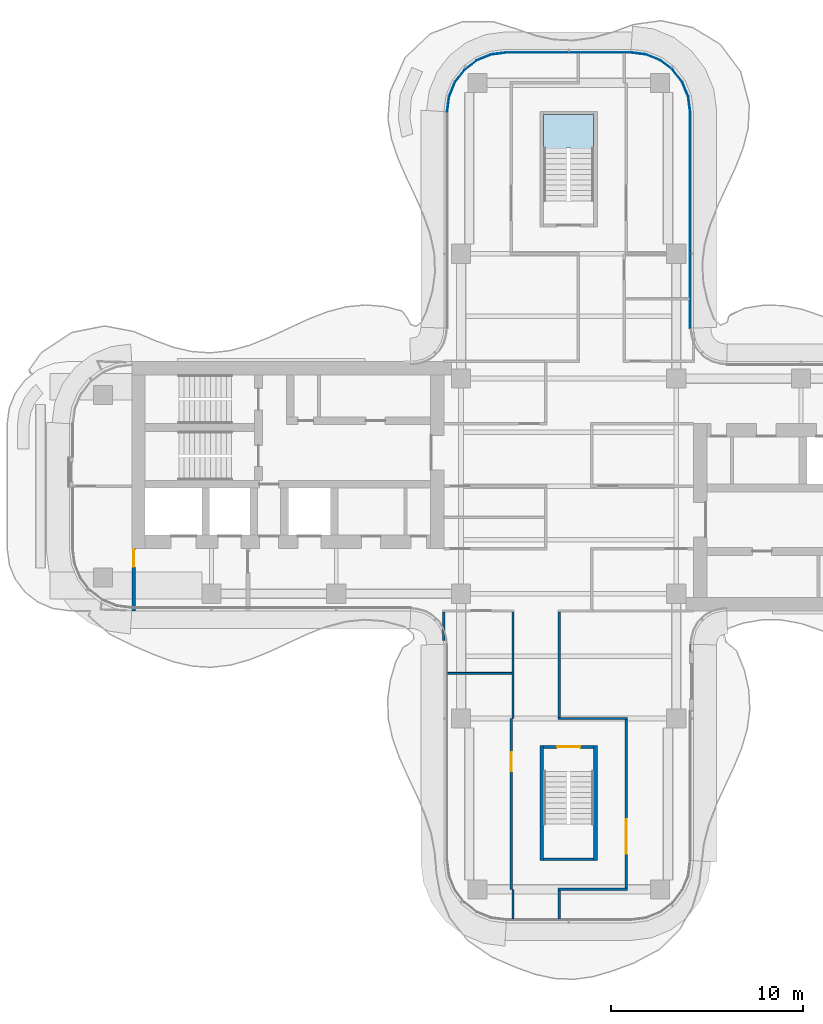
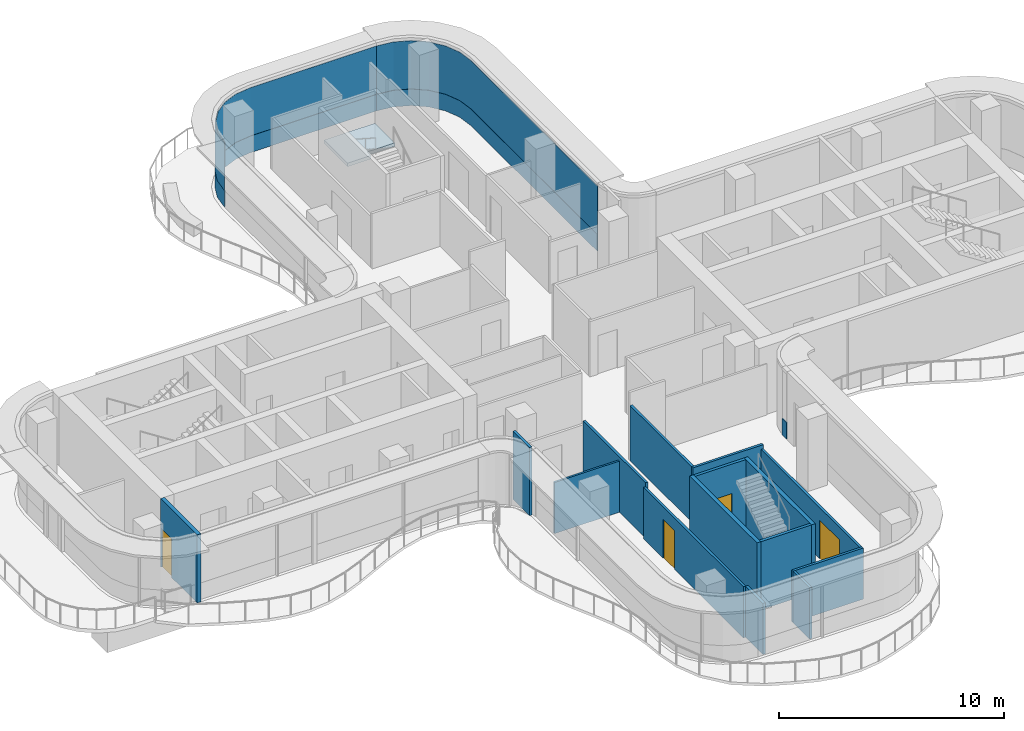
# One storey, part 11 of 17: 15 walls, 5 plates, 4 doors, 1 slab, 4 openings, 4 elements without a shape of their own.
"""IFC4 building model written with IfcOpenShell, lengths in metres."""

from ifc_helpers import new_model, si_unit, direction, frame, frame_2d, origin, place, context, subcontext, project, spatial, polyline, rectangle, outline, extrude, source, transform, mapped, material, layer, layer_set, type_object, element, fill, aggregate, save


model = new_model("IFC4")

# Units and contexts
model_context = context("Model", 3, precision=1e-05, world=origin(), true_north=direction((0.0, 1.0)))
body_context = subcontext(model_context, "Body", "Model", "MODEL_VIEW")
ifc_project = project(units=[si_unit("LENGTHUNIT", "METRE"), si_unit("AREAUNIT", "SQUARE_METRE"), si_unit("VOLUMEUNIT", "CUBIC_METRE"), si_unit("PLANEANGLEUNIT", "RADIAN"), si_unit("MASSUNIT", "GRAM", prefix="KILO")], contexts=[model_context])

# Site, building, storey
site_placement = place(None, origin())
site = spatial("IfcSite", under=ifc_project, at=site_placement, CompositionType="ELEMENT")
building_placement = place(site_placement, origin())
building = spatial("IfcBuilding", under=site, at=building_placement, Name="Trellis Farm Tower", CompositionType="ELEMENT")
storey_placement = place(building_placement, frame((0.0, 0.0, 279.39990234375)))
storey = spatial("IfcBuildingStorey", under=building, at=storey_placement, Name="L62", CompositionType="ELEMENT", Elevation=279.39990234375)

# Curtain wall, plate
ifc_material_1 = material(Name="Aluminium and glass curtain wall", Category="aluminium")
ifc_layer_1 = layer(ifc_material_1, 0.18994140625)
ifc_layer_set_1 = layer_set([ifc_layer_1], Name="RIBBON CURTAIN WALL CW1")
curtain_wall_type = type_object("IfcCurtainWallType", Name="RIBBON CURTAIN WALL CW1", PredefinedType="NOTDEFINED", material=ifc_layer_set_1)
placement_1 = place(storey_placement, origin())
curtain_wall_1 = element("IfcCurtainWall", 1, at=placement_1, inside=storey, type_object=curtain_wall_type, Name="CW1 005", PredefinedType="NOTDEFINED")
ifc_material_2 = material(Name="Sandstone faced insulated panel", Category="masonry")
ifc_layer_2 = layer(ifc_material_2, 0.050048828125)
ifc_layer_set_2 = layer_set([ifc_layer_2], Name="CW1 STONE SPANDREL PANEL 50")
plate_type_1 = type_object("IfcPlateType", Name="CW1 STONE SPANDREL PANEL 50", PredefinedType="CURTAIN_PANEL", material=ifc_layer_set_2)
plate_1 = element("IfcPlate", 2, at=placement_1, type_object=plate_type_1, Name="PS1 005", PredefinedType="CURTAIN_PANEL", context=body_context, shape_type="SweptSolid", body=[
    extrude(outline(polyline([(6.35009765625, -8.605712890625), (6.35009765625, -8.2265625), (6.300048828125, -8.224853515625), (6.300048828125, -8.605712890625), (6.35009765625, -8.605712890625)])), origin(), (0.0, 0.0, 1.0), 0.900146484375),
])
aggregate(curtain_wall_1, [plate_1])

# Stair, slab
ifc_material_3 = material(Name="Concrete C50/60", Category="concrete")
stair_type = type_object("IfcStairType", Name="CORE EXIT STAIR 22 RISERS 177 MM", PredefinedType="HALF_TURN_STAIR", material=ifc_material_3)
stair = element("IfcStair", 3, at=placement_1, inside=storey, type_object=stair_type, Name="Exit stair N", PredefinedType="HALF_TURN_STAIR")
ifc_layer_3 = layer(ifc_material_3, 0.18994140625)
ifc_layer_set_3 = layer_set([ifc_layer_3], Name="CORE STAIR LANDING 190 CONCRETE C50/60")
slab_type = type_object("IfcSlabType", Name="CORE STAIR LANDING 190 CONCRETE C50/60", PredefinedType="LANDING", material=ifc_layer_set_3)
shared_shape_1 = source(origin(), body_context, "Body", "SweptSolid", [
    extrude(outline(polyline([(-0.10009765625, 17.27197265625), (-1.300048828125, 17.27197265625), (-1.300048828125, 17.60009765625), (-1.300048828125, 19.35009765625), (1.300048828125, 19.35009765625), (1.300048828125, 17.60009765625), (1.300048828125, 17.590087890625), (0.10009765625, 17.590087890625), (0.10009765625, 17.60009765625), (-0.10009765625, 17.60009765625), (-0.10009765625, 17.27197265625)])), origin(), (0.0, 0.0, 1.0), 0.190185546875),
])
slab_placement = place(storey_placement, frame((0.0, 0.0, 1.760009765625)))
slab = element("IfcSlab", 4, at=slab_placement, type_object=slab_type, Name="STN landing 1", PredefinedType="LANDING", context=body_context, shape_type="MappedRepresentation", body=[
    mapped(shared_shape_1, transform((0.0, 0.0, 0.0))),
])
aggregate(stair, [slab])

# Curtain wall, plates
curtain_wall_2 = element("IfcCurtainWall", 5, at=placement_1, inside=storey, type_object=curtain_wall_type, Name="CW1 009", PredefinedType="NOTDEFINED")
ifc_material_4 = material(Name="Clear insulated glass", Category="glass")
ifc_layer_4 = layer(ifc_material_4, 0.0400390625)
ifc_layer_set_4 = layer_set([ifc_layer_4], Name="CW1 GLASS PANEL 40")
plate_type_2 = type_object("IfcPlateType", Name="CW1 GLASS PANEL 40", PredefinedType="CURTAIN_PANEL", material=ifc_layer_set_4)
shared_shape_2 = source(origin(), body_context, "Body", "SweptSolid", [
    extrude(outline(polyline([(6.35009765625, 8.2265625), (6.35009765625, 19.490234375), (6.2431640625, 20.302001953125), (5.93359375, 21.04931640625), (5.441162109375, 21.691162109375), (4.79931640625, 22.18359375), (4.052001953125, 22.4931640625), (3.240234375, 22.60009765625), (3.237548828125, 22.56005859375), (4.04150390625, 22.4541015625), (4.779296875, 22.148681640625), (5.41259765625, 21.66259765625), (5.898681640625, 21.029296875), (6.2041015625, 20.29150390625), (6.31005859375, 19.487548828125), (6.31005859375, 8.22509765625), (6.35009765625, 8.2265625)])), origin(), (0.0, 0.0, 1.0), 2.619873046875),
])
placement_2 = place(storey_placement, frame((0.0, 0.0, 0.900146484375)))
plate_2 = element("IfcPlate", 6, at=placement_2, type_object=plate_type_2, Name="PL1 009", PredefinedType="CURTAIN_PANEL", context=body_context, shape_type="MappedRepresentation", body=[
    mapped(shared_shape_2, transform((0.0, 0.0, 0.0))),
])
shared_shape_3 = source(origin(), body_context, "Body", "SweptSolid", [
    extrude(outline(polyline([(6.35009765625, 8.2265625), (6.35009765625, 19.490234375), (6.2431640625, 20.302001953125), (5.93359375, 21.04931640625), (5.441162109375, 21.691162109375), (4.79931640625, 22.18359375), (4.052001953125, 22.4931640625), (3.240234375, 22.60009765625), (3.23681640625, 22.550048828125), (4.0390625, 22.4443359375), (4.774169921875, 22.139892578125), (5.405517578125, 21.655517578125), (5.889892578125, 21.024169921875), (6.1943359375, 20.2890625), (6.300048828125, 19.48681640625), (6.300048828125, 8.224853515625), (6.35009765625, 8.2265625)])), origin(), (0.0, 0.0, 1.0), 0.900146484375),
])
plate_3 = element("IfcPlate", 7, at=placement_1, type_object=plate_type_1, Name="PS1 009", PredefinedType="CURTAIN_PANEL", context=body_context, shape_type="MappedRepresentation", body=[
    mapped(shared_shape_3, transform((0.0, 0.0, 0.0))),
])
aggregate(curtain_wall_2, [plate_2, plate_3])

curtain_wall_3 = element("IfcCurtainWall", 8, at=placement_1, inside=storey, type_object=curtain_wall_type, Name="CW1 010", PredefinedType="NOTDEFINED")
shared_shape_4 = source(origin(), body_context, "Body", "SweptSolid", [
    extrude(outline(polyline([(3.240234375, 22.60009765625), (-3.240234375, 22.60009765625), (-4.052001953125, 22.4931640625), (-4.79931640625, 22.18359375), (-5.441162109375, 21.691162109375), (-5.93359375, 21.04931640625), (-6.2431640625, 20.302001953125), (-6.35009765625, 19.490234375), (-6.31005859375, 19.487548828125), (-6.2041015625, 20.29150390625), (-5.898681640625, 21.029296875), (-5.41259765625, 21.66259765625), (-4.779296875, 22.148681640625), (-4.04150390625, 22.4541015625), (-3.237548828125, 22.56005859375), (3.237548828125, 22.56005859375), (3.240234375, 22.60009765625)])), origin(), (0.0, 0.0, 1.0), 2.619873046875),
])
plate_4 = element("IfcPlate", 9, at=placement_2, type_object=plate_type_2, Name="PL1 010", PredefinedType="CURTAIN_PANEL", context=body_context, shape_type="MappedRepresentation", body=[
    mapped(shared_shape_4, transform((0.0, 0.0, 0.0))),
])
shared_shape_5 = source(origin(), body_context, "Body", "SweptSolid", [
    extrude(outline(polyline([(3.240234375, 22.60009765625), (-3.240234375, 22.60009765625), (-4.052001953125, 22.4931640625), (-4.79931640625, 22.18359375), (-5.441162109375, 21.691162109375), (-5.93359375, 21.04931640625), (-6.2431640625, 20.302001953125), (-6.35009765625, 19.490234375), (-6.300048828125, 19.48681640625), (-6.1943359375, 20.2890625), (-5.889892578125, 21.024169921875), (-5.405517578125, 21.655517578125), (-4.774169921875, 22.139892578125), (-4.0390625, 22.4443359375), (-3.23681640625, 22.550048828125), (3.23681640625, 22.550048828125), (3.240234375, 22.60009765625)])), origin(), (0.0, 0.0, 1.0), 0.900146484375),
])
plate_5 = element("IfcPlate", 10, at=placement_1, type_object=plate_type_1, Name="PS1 010", PredefinedType="CURTAIN_PANEL", context=body_context, shape_type="MappedRepresentation", body=[
    mapped(shared_shape_5, transform((0.0, 0.0, 0.0))),
])
aggregate(curtain_wall_3, [plate_4, plate_5])

# Wall, opening, door
ifc_material_5 = material(Name="Masonry blockwork", Category="masonry")
ifc_layer_5 = layer(ifc_material_5, 0.199951171875)
ifc_layer_set_5 = layer_set([ifc_layer_5], Name="FIRE LOBBY PARTITION 200 BLOCKWORK")
wall_type_1 = type_object("IfcWallType", Name="FIRE LOBBY PARTITION 200 BLOCKWORK", PredefinedType="PARTITIONING", material=ifc_layer_set_5)
shared_shape_6 = source(origin(), body_context, "Body", "SweptSolid", [
    extrude(rectangle(XDim=3.25, YDim=0.199951171875, at=frame_2d((1.625, 0.0))), origin(), (0.0, 0.0, 1.0), 3.7001953125),
])
wall_1_placement = place(storey_placement, frame((-22.64990234375, -3.25, 0.0), z_axis=(0.0, 0.0, 1.0), x_axis=(0.0, -1.0, 0.0)))
wall_1 = element("IfcWall", 11, at=wall_1_placement, inside=storey, type_object=wall_type_1, Name="Fire-fighting lobby partition", PredefinedType="PARTITIONING", context=body_context, shape_type="MappedRepresentation", body=[
    mapped(shared_shape_6, transform((0.0, 0.0, 0.0))),
])
shared_shape_7 = source(origin(), body_context, "Body", "SweptSolid", [
    extrude(rectangle(XDim=0.89990234375, YDim=2.10009765625, at=frame_2d((0.449951171875, 1.050048828125))), frame((0.0, 0.110107421875, 0.0), z_axis=(0.0, -1.0, 0.0), x_axis=(1.0, 0.0, 0.0)), (0.0, 0.0, 1.0), 0.22021484375),
])
opening_1_placement = place(wall_1_placement, frame((0.050048828125, 0.0, 0.0)))
opening_1 = element("IfcOpeningElement", 12, at=opening_1_placement, cuts=wall_1, Name="Opening DC94", PredefinedType="OPENING", context=body_context, shape_type="MappedRepresentation", body=[
    mapped(shared_shape_7, transform((0.0, 0.0, 0.0))),
])
ifc_material_6 = material(Name="Steel", Category="steel")
door_type_1 = type_object("IfcDoorType", Name="CORE FIRE DOOR 900 X 2100", OperationType="NOTDEFINED", PredefinedType="DOOR", material=ifc_material_6)
shared_shape_8 = source(origin(), body_context, "Body", "SweptSolid", [
    extrude(rectangle(XDim=0.89990234375, YDim=2.10009765625, at=frame_2d((0.449951171875, 1.050048828125))), frame((0.0, 0.02490234375, 0.0), z_axis=(0.0, -1.0, 0.0), x_axis=(1.0, 0.0, 0.0)), (0.0, 0.0, 1.0), 0.050048828125),
])
door_1_placement = place(opening_1_placement, origin())
door_1 = element("IfcDoor", 13, at=door_1_placement, inside=storey, type_object=door_type_1, Name="Core door", OperationType="SINGLE_SWING_RIGHT", OverallHeight=2.10009765625, OverallWidth=0.89990234375, PredefinedType="DOOR", context=body_context, shape_type="MappedRepresentation", body=[
    mapped(shared_shape_8, transform((0.0, 0.0, 0.0))),
])
fill(opening_1, door_1)

# Walls
ifc_layer_6 = layer(ifc_material_3, 0.199951171875)
ifc_layer_set_6 = layer_set([ifc_layer_6], Name="CORE STAIR ENCLOSURE WALL 200 CONCRETE C50/60")
wall_type_2 = type_object("IfcWallType", Name="CORE STAIR ENCLOSURE WALL 200 CONCRETE C50/60", PredefinedType="SHEAR", material=ifc_layer_set_6)
shared_shape_9 = source(origin(), body_context, "Body", "SweptSolid", [
    extrude(rectangle(XDim=6.0, YDim=0.199951171875, at=frame_2d((3.0, 0.0))), origin(), (0.0, 0.0, 1.0), 3.7001953125),
])
for number, where, z_axis, x_axis, name in (
    (14, (1.39990234375, -13.5, 0.0), (0.0, 0.0, 1.0), (0.0, -1.0, 0.0), "Stair enclosure wall"),
    (15, (-1.39990234375, -13.5, 0.0), (0.0, 0.0, 1.0), (0.0, -1.0, 0.0), "Stair enclosure wall"),
):
    element("IfcWall", number, at=place(storey_placement, frame(where, z_axis=z_axis, x_axis=x_axis)), inside=storey, type_object=wall_type_2, Name=name, PredefinedType="SHEAR", context=body_context, shape_type="MappedRepresentation", body=[
        mapped(shared_shape_9, transform((0.0, 0.0, 0.0))),
    ])

# Wall, opening, door
ifc_layer_7 = layer(ifc_material_3, 0.14990234375)
ifc_layer_set_7 = layer_set([ifc_layer_7], Name="CORE STAIR ENCLOSURE WALL 150 CONCRETE C50/60")
wall_type_3 = type_object("IfcWallType", Name="CORE STAIR ENCLOSURE WALL 150 CONCRETE C50/60", PredefinedType="SHEAR", material=ifc_layer_set_7)
shared_shape_10 = source(origin(), body_context, "Body", "SweptSolid", [
    extrude(rectangle(XDim=2.60009765625, YDim=0.14990234375, at=frame_2d((1.300048828125, 0.0))), origin(), (0.0, 0.0, 1.0), 3.7001953125),
])
wall_2_placement = place(storey_placement, frame((1.300048828125, -13.574951171875, 0.0), z_axis=(0.0, 0.0, 1.0), x_axis=(-1.0, 0.0, 0.0)))
wall_2 = element("IfcWall", 16, at=wall_2_placement, inside=storey, type_object=wall_type_3, Name="Stair enclosure wall", PredefinedType="SHEAR", context=body_context, shape_type="MappedRepresentation", body=[
    mapped(shared_shape_10, transform((0.0, 0.0, 0.0))),
])
shared_shape_11 = source(origin(), body_context, "Body", "SweptSolid", [
    extrude(rectangle(XDim=1.199951171875, YDim=2.10009765625, at=frame_2d((0.60009765625, 1.050048828125))), frame((0.0, 0.0849609375, 0.0), z_axis=(0.0, -1.0, 0.0), x_axis=(1.0, 0.0, 0.0)), (0.0, 0.0, 1.0), 0.169921875),
])
opening_2_placement = place(wall_2_placement, frame((0.699951171875, 0.0, 0.0)))
opening_2 = element("IfcOpeningElement", 17, at=opening_2_placement, cuts=wall_2, Name="Opening DC174", PredefinedType="OPENING", context=body_context, shape_type="MappedRepresentation", body=[
    mapped(shared_shape_11, transform((0.0, 0.0, 0.0))),
])
door_type_2 = type_object("IfcDoorType", Name="CORE FIRE DOOR 1200 X 2100", OperationType="NOTDEFINED", PredefinedType="DOOR", material=ifc_material_6)
shared_shape_12 = source(origin(), body_context, "Body", "SweptSolid", [
    extrude(rectangle(XDim=1.199951171875, YDim=2.10009765625, at=frame_2d((0.60009765625, 1.050048828125))), frame((0.0, 0.02490234375, 0.0), z_axis=(0.0, -1.0, 0.0), x_axis=(1.0, 0.0, 0.0)), (0.0, 0.0, 1.0), 0.050048828125),
])
door_2_placement = place(opening_2_placement, origin())
door_2 = element("IfcDoor", 18, at=door_2_placement, inside=storey, type_object=door_type_2, Name="Core door", OperationType="SINGLE_SWING_RIGHT", OverallHeight=2.10009765625, OverallWidth=1.199951171875, PredefinedType="DOOR", context=body_context, shape_type="MappedRepresentation", body=[
    mapped(shared_shape_12, transform((0.0, 0.0, 0.0))),
])
fill(opening_2, door_2)

# Walls
wall_3_placement = place(storey_placement, frame((1.300048828125, -19.425048828125, 0.0), z_axis=(0.0, 0.0, 1.0), x_axis=(-1.0, 0.0, 0.0)))
element("IfcWall", 19, at=wall_3_placement, inside=storey, type_object=wall_type_3, Name="Stair enclosure wall", PredefinedType="SHEAR", context=body_context, shape_type="MappedRepresentation", body=[
    mapped(shared_shape_10, transform((0.0, 0.0, 0.0))),
])
ifc_material_7 = material(Name="Plasterboard on steel studs, mineral wool", Category="steel")
ifc_layer_8 = layer(ifc_material_7, 0.125)
ifc_layer_set_8 = layer_set([ifc_layer_8], Name="PARTITION 125 STUD EI 60")
wall_type_4 = type_object("IfcWallType", Name="PARTITION 125 STUD EI 60", PredefinedType="PARTITIONING", material=ifc_layer_set_8)
shared_shape_13 = source(origin(), body_context, "Body", "SweptSolid", [
    extrude(rectangle(XDim=5.47509765625, YDim=0.125, at=frame_2d((2.737548828125, 0.0))), origin(), (0.0, 0.0, 1.0), 2.99658203125),
])
wall_4_placement = place(storey_placement, frame((-0.5, -6.5625, 0.0), z_axis=(0.0, 0.0, 1.0), x_axis=(0.0, -1.0, 0.0)))
element("IfcWall", 20, at=wall_4_placement, inside=storey, type_object=wall_type_4, Name="Partition PW1", PredefinedType="PARTITIONING", context=body_context, shape_type="MappedRepresentation", body=[
    mapped(shared_shape_13, transform((0.0, 0.0, 0.0))),
])
shared_shape_14 = source(origin(), body_context, "Body", "SweptSolid", [
    extrude(rectangle(XDim=5.53759765625, YDim=0.125, at=frame_2d((2.768798828125, 0.0))), origin(), (0.0, 0.0, 1.0), 2.99658203125),
])
wall_5_placement = place(storey_placement, frame((-2.89990234375, -12.10009765625, 0.0), z_axis=(0.0, 0.0, 1.0), x_axis=(0.0, 1.0, 0.0)))
element("IfcWall", 21, at=wall_5_placement, inside=storey, type_object=wall_type_4, Name="Partition PW1", PredefinedType="PARTITIONING", context=body_context, shape_type="MappedRepresentation", body=[
    mapped(shared_shape_14, transform((0.0, 0.0, 0.0))),
])
shared_shape_15 = source(origin(), body_context, "Body", "SweptSolid", [
    extrude(rectangle(XDim=3.625, YDim=0.125, at=frame_2d((1.8125, 0.0))), origin(), (0.0, 0.0, 1.0), 2.99658203125),
])
wall_6_placement = place(storey_placement, frame((-0.5625, -12.10009765625, 0.0), z_axis=(0.0, 0.0, 1.0), x_axis=(1.0, 0.0, 0.0)))
element("IfcWall", 22, at=wall_6_placement, inside=storey, type_object=wall_type_4, Name="Partition PW1", PredefinedType="PARTITIONING", context=body_context, shape_type="MappedRepresentation", body=[
    mapped(shared_shape_15, transform((0.0, 0.0, 0.0))),
])
shared_shape_16 = source(origin(), body_context, "Body", "SweptSolid", [
    extrude(rectangle(XDim=1.468994140625, YDim=0.125, at=frame_2d((0.734375, 0.0))), origin(), (0.0, 0.0, 1.0), 3.7001953125),
])
wall_7_placement = place(storey_placement, frame((-6.5, -6.5625, 0.0), z_axis=(0.0, 0.0, 1.0), x_axis=(0.0, -1.0, 0.0)))
element("IfcWall", 23, at=wall_7_placement, inside=storey, type_object=wall_type_4, Name="Partition PW1", PredefinedType="PARTITIONING", context=body_context, shape_type="MappedRepresentation", body=[
    mapped(shared_shape_16, transform((0.0, 0.0, 0.0))),
])

# Wall, opening, door
shared_shape_17 = source(origin(), body_context, "Body", "SweptSolid", [
    extrude(rectangle(XDim=8.77490234375, YDim=0.125, at=frame_2d((4.387451171875, 0.0))), origin(), (0.0, 0.0, 1.0), 2.780029296875),
])
wall_8_placement = place(storey_placement, frame((3.0, -12.16259765625, 0.0), z_axis=(0.0, 0.0, 1.0), x_axis=(0.0, -1.0, 0.0)))
wall_8 = element("IfcWall", 24, at=wall_8_placement, inside=storey, type_object=wall_type_4, Name="Partition PW1", PredefinedType="PARTITIONING", context=body_context, shape_type="MappedRepresentation", body=[
    mapped(shared_shape_17, transform((0.0, 0.0, 0.0))),
])
shared_shape_18 = source(origin(), body_context, "Body", "SweptSolid", [
    extrude(rectangle(XDim=1.800048828125, YDim=2.10009765625, at=frame_2d((0.89990234375, 1.050048828125))), frame((0.0, 0.072509765625, 0.0), z_axis=(0.0, -1.0, 0.0), x_axis=(1.0, 0.0, 0.0)), (0.0, 0.0, 1.0), 0.14501953125),
])
opening_3_placement = place(wall_8_placement, frame((5.1875, 0.0, 0.0)))
opening_3 = element("IfcOpeningElement", 25, at=opening_3_placement, cuts=wall_8, Name="Opening D201", PredefinedType="OPENING", context=body_context, shape_type="MappedRepresentation", body=[
    mapped(shared_shape_18, transform((0.0, 0.0, 0.0))),
])
ifc_material_8 = material(Name="Fire-rated timber door leaf in a hollow metal frame", Category="wood")
door_type_3 = type_object("IfcDoorType", Name="DOOR PAIR 1800x2100 FD30S", OperationType="NOTDEFINED", PredefinedType="DOOR", material=ifc_material_8)
shared_shape_19 = source(origin(), body_context, "Body", "SweptSolid", [
    extrude(rectangle(XDim=1.800048828125, YDim=2.10009765625, at=frame_2d((0.89990234375, 1.050048828125))), frame((0.0, 0.02490234375, 0.0), z_axis=(0.0, -1.0, 0.0), x_axis=(1.0, 0.0, 0.0)), (0.0, 0.0, 1.0), 0.050048828125),
])
door_3_placement = place(opening_3_placement, origin())
door_3 = element("IfcDoor", 26, at=door_3_placement, inside=storey, type_object=door_type_3, Name="Door D201", OperationType="DOUBLE_DOOR_SINGLE_SWING", OverallHeight=2.10009765625, OverallWidth=1.800048828125, PredefinedType="DOOR", context=body_context, shape_type="MappedRepresentation", body=[
    mapped(shared_shape_19, transform((0.0, 0.0, 0.0))),
])
fill(opening_3, door_3)

# Walls
shared_shape_20 = source(origin(), body_context, "Body", "SweptSolid", [
    extrude(rectangle(XDim=1.487548828125, YDim=0.125, at=frame_2d((0.74365234375, 0.0))), origin(), (0.0, 0.0, 1.0), 2.780029296875),
])
wall_9_placement = place(storey_placement, frame((-0.5, -21.0625, 0.0), z_axis=(0.0, 0.0, 1.0), x_axis=(0.0, -1.0, 0.0)))
element("IfcWall", 27, at=wall_9_placement, inside=storey, type_object=wall_type_4, Name="Partition PW1", PredefinedType="PARTITIONING", context=body_context, shape_type="MappedRepresentation", body=[
    mapped(shared_shape_20, transform((0.0, 0.0, 0.0))),
])
shared_shape_21 = source(origin(), body_context, "Body", "SweptSolid", [
    extrude(rectangle(XDim=1.550048828125, YDim=0.125, at=frame_2d((0.77490234375, 0.0))), origin(), (0.0, 0.0, 1.0), 2.780029296875),
])
wall_10_placement = place(storey_placement, frame((-2.89990234375, -22.550048828125, 0.0), z_axis=(0.0, 0.0, 1.0), x_axis=(0.0, 1.0, 0.0)))
element("IfcWall", 28, at=wall_10_placement, inside=storey, type_object=wall_type_4, Name="Partition PW1", PredefinedType="PARTITIONING", context=body_context, shape_type="MappedRepresentation", body=[
    mapped(shared_shape_21, transform((0.0, 0.0, 0.0))),
])

# Wall, opening, door
shared_shape_22 = source(origin(), body_context, "Body", "SweptSolid", [
    extrude(rectangle(XDim=8.89990234375, YDim=0.125, at=frame_2d((4.449951171875, 0.0))), origin(), (0.0, 0.0, 1.0), 2.780029296875),
])
wall_11_placement = place(storey_placement, frame((-3.0, -21.0, 0.0), z_axis=(0.0, 0.0, 1.0), x_axis=(0.0, 1.0, 0.0)))
wall_11 = element("IfcWall", 29, at=wall_11_placement, inside=storey, type_object=wall_type_4, Name="Partition PW1", PredefinedType="PARTITIONING", context=body_context, shape_type="MappedRepresentation", body=[
    mapped(shared_shape_22, transform((0.0, 0.0, 0.0))),
])
shared_shape_23 = source(origin(), body_context, "Body", "SweptSolid", [
    extrude(rectangle(XDim=1.0, YDim=2.10009765625, at=frame_2d((0.5, 1.050048828125))), frame((0.0, 0.072509765625, 0.0), z_axis=(0.0, -1.0, 0.0), x_axis=(1.0, 0.0, 0.0)), (0.0, 0.0, 1.0), 0.14501953125),
])
opening_4_placement = place(wall_11_placement, frame((6.14990234375, 0.0, 0.0)))
opening_4 = element("IfcOpeningElement", 30, at=opening_4_placement, cuts=wall_11, Name="Opening D101", PredefinedType="OPENING", context=body_context, shape_type="MappedRepresentation", body=[
    mapped(shared_shape_23, transform((0.0, 0.0, 0.0))),
])
door_type_4 = type_object("IfcDoorType", Name="DOOR 1000x2100 FD30S", OperationType="NOTDEFINED", PredefinedType="DOOR", material=ifc_material_8)
shared_shape_24 = source(origin(), body_context, "Body", "SweptSolid", [
    extrude(rectangle(XDim=1.0, YDim=2.10009765625, at=frame_2d((0.5, 1.050048828125))), frame((0.0, 0.02490234375, 0.0), z_axis=(0.0, -1.0, 0.0), x_axis=(1.0, 0.0, 0.0)), (0.0, 0.0, 1.0), 0.050048828125),
])
door_4_placement = place(opening_4_placement, origin())
door_4 = element("IfcDoor", 31, at=door_4_placement, inside=storey, type_object=door_type_4, Name="Door D101", OperationType="SINGLE_SWING_RIGHT", OverallHeight=2.10009765625, OverallWidth=1.0, PredefinedType="DOOR", context=body_context, shape_type="MappedRepresentation", body=[
    mapped(shared_shape_24, transform((0.0, 0.0, 0.0))),
])
fill(opening_4, door_4)

# Walls
shared_shape_25 = source(origin(), body_context, "Body", "SweptSolid", [
    extrude(rectangle(XDim=3.625, YDim=0.125, at=frame_2d((1.8125, 0.0))), origin(), (0.0, 0.0, 1.0), 2.780029296875),
])
wall_12_placement = place(storey_placement, frame((3.0625, -21.0, 0.0), z_axis=(0.0, 0.0, 1.0), x_axis=(-1.0, 0.0, 0.0)))
element("IfcWall", 32, at=wall_12_placement, inside=storey, type_object=wall_type_4, Name="Partition PW1", PredefinedType="PARTITIONING", context=body_context, shape_type="MappedRepresentation", body=[
    mapped(shared_shape_25, transform((0.0, 0.0, 0.0))),
])
ifc_material_9 = material(Name="Plasterboard on steel studs", Category="steel")
ifc_layer_9 = layer(ifc_material_9, 0.10009765625)
ifc_layer_set_9 = layer_set([ifc_layer_9], Name="PARTITION 100 STUD EI 30")
wall_type_5 = type_object("IfcWallType", Name="PARTITION 100 STUD EI 30", PredefinedType="PARTITIONING", material=ifc_layer_set_9)
shared_shape_26 = source(origin(), body_context, "Body", "SweptSolid", [
    extrude(rectangle(XDim=3.337646484375, YDim=0.10009765625, at=frame_2d((1.6689453125, 0.0))), origin(), (0.0, 0.0, 1.0), 2.780029296875),
])
wall_13_placement = place(storey_placement, frame((-6.300048828125, -9.75, 0.0), z_axis=(0.0, 0.0, 1.0), x_axis=(1.0, 0.0, 0.0)))
element("IfcWall", 33, at=wall_13_placement, inside=storey, type_object=wall_type_5, Name="Partition PW2", PredefinedType="PARTITIONING", context=body_context, shape_type="MappedRepresentation", body=[
    mapped(shared_shape_26, transform((0.0, 0.0, 0.0))),
])

save(model, "model.ifc")
